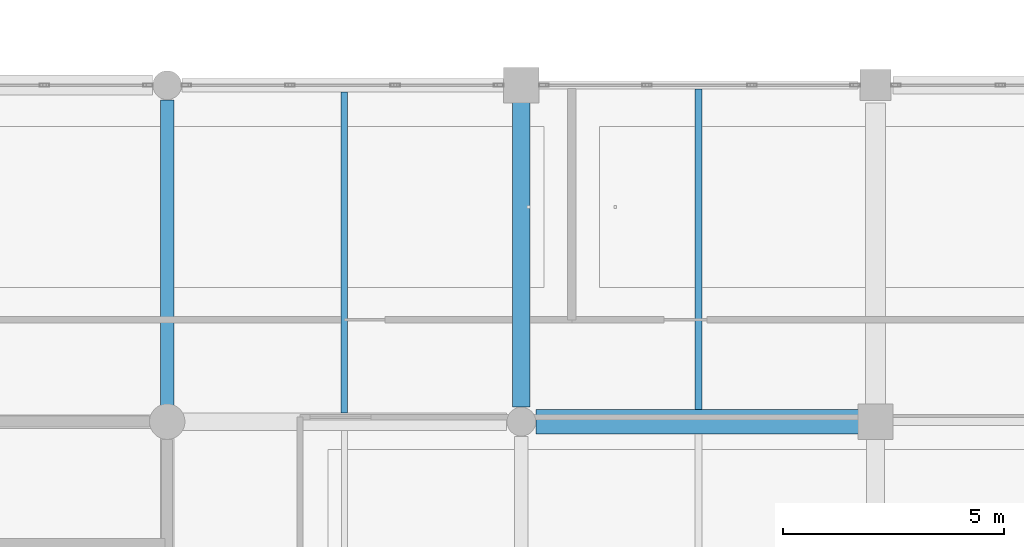
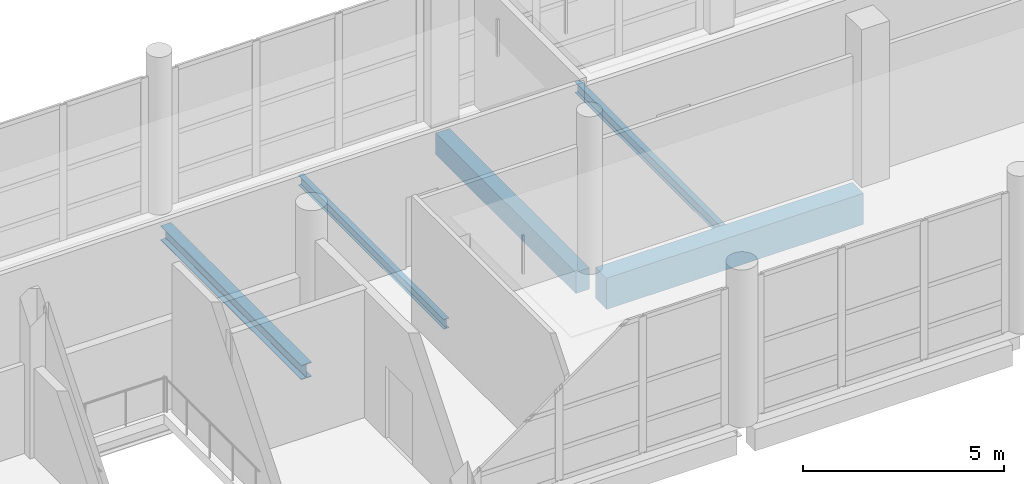
# One storey, part 28 of 141: 5 beams.
"""IFC4 building model written with IfcOpenShell, lengths in metres."""

from ifc_helpers import new_model, si_unit, direction, frame, origin, origin_2d, place, context, subcontext, project, spatial, rectangle, i_section, extrude, material, material_profile, profile_set, type_object, element, save


model = new_model("IFC4")

# Units and contexts
model_context = context("Model", 3, precision=1e-05, world=origin(), true_north=direction((0.0, 1.0)))
body_context = subcontext(model_context, "Body", "Model", "MODEL_VIEW")
ifc_project = project(units=[si_unit("LENGTHUNIT", "METRE"), si_unit("AREAUNIT", "SQUARE_METRE"), si_unit("VOLUMEUNIT", "CUBIC_METRE"), si_unit("PLANEANGLEUNIT", "RADIAN"), si_unit("MASSUNIT", "GRAM", prefix="KILO")], contexts=[model_context])

# Site, building, storey
site_placement = place(None, origin())
site = spatial("IfcSite", under=ifc_project, at=site_placement, CompositionType="ELEMENT")
building_placement = place(site_placement, origin())
building = spatial("IfcBuilding", under=site, at=building_placement, Name="Khelvaren Railside Concert Hall", CompositionType="ELEMENT")
storey_placement = place(building_placement, frame((0.0, 0.0, 10.199951171875)))
storey = spatial("IfcBuildingStorey", under=building, at=storey_placement, Name="L02", CompositionType="ELEMENT", Elevation=10.199951171875)

# Beams
ifc_material_1 = material(Name="Concrete C40/50", Category="concrete")
ifc_material_profile_1 = material_profile(ifc_material_1, rectangle(XDim=0.39990234375, YDim=0.64990234375, at=origin_2d()), Name="RCB 400x650")
ifc_profile_set_1 = profile_set([ifc_material_profile_1], Name="Concrete C40/50")
beam_type_1 = type_object("IfcBeamType", Name="BM33", PredefinedType="BEAM", material=ifc_profile_set_1)
beam_1_placement = place(storey_placement, frame((88.0, 7.93603515625, -0.614990234375), z_axis=(0.0, 1.0, 0.0), x_axis=(-1.0, 0.0, 0.0)))
element("IfcBeam", 1, at=beam_1_placement, inside=storey, type_object=beam_type_1, Name="V3 L02 Beam Y4.2", PredefinedType="BEAM", context=body_context, shape_type="SweptSolid", body=[
    extrude(rectangle(XDim=0.39990234375, YDim=0.64990234375, at=origin_2d()), origin(), (0.0, 0.0, 1.0), 6.990966796875),
])
ifc_material_2 = material(Name="Steel S355", Category="steel")
ifc_material_profile_2 = material_profile(ifc_material_2, i_section(OverallWidth=0.300048828125, OverallDepth=0.43994140625, WebThickness=0.011474609375, FlangeThickness=0.02099609375, FilletRadius=0.027099609375, at=origin_2d()), Name="HEA 450")
ifc_profile_set_2 = profile_set([ifc_material_profile_2], Name="Steel S355")
beam_type_2 = type_object("IfcBeamType", Name="BM89", PredefinedType="BEAM", material=ifc_profile_set_2)
beam_2_placement = place(storey_placement, frame((80.0, 7.85009765625, -0.510009765625), z_axis=(0.0, 1.0, 0.0), x_axis=(-1.0, 0.0, 0.0)))
element("IfcBeam", 2, at=beam_2_placement, inside=storey, type_object=beam_type_2, Name="V3 L02 Beam Y3.2", PredefinedType="BEAM", context=body_context, shape_type="SweptSolid", body=[
    extrude(i_section(OverallWidth=0.300048828125, OverallDepth=0.43994140625, WebThickness=0.011474609375, FlangeThickness=0.02099609375, FilletRadius=0.027099609375, at=origin_2d()), origin(), (0.0, 0.0, 1.0), 7.013916015625),
])
ifc_material_profile_3 = material_profile(ifc_material_1, rectangle(XDim=0.550048828125, YDim=0.949951171875, at=origin_2d()), Name="RCB 550x950")
ifc_profile_set_3 = profile_set([ifc_material_profile_3], Name="Concrete C40/50")
beam_type_3 = type_object("IfcBeamType", Name="GR57", PredefinedType="T_BEAM", material=ifc_profile_set_3)
beam_3_placement = place(storey_placement, frame((88.3359375, 7.60009765625, -0.764892578125), z_axis=(1.0, 0.0, 0.0), x_axis=(0.0, 1.0, 0.0)))
element("IfcBeam", 3, at=beam_3_placement, inside=storey, type_object=beam_type_3, Name="V3 L02 T_Beam X2.4", PredefinedType="T_BEAM", context=body_context, shape_type="SweptSolid", body=[
    extrude(rectangle(XDim=0.550048828125, YDim=0.949951171875, at=origin_2d()), origin(), (0.0, 0.0, 1.0), 7.39111328125),
])
ifc_material_profile_4 = material_profile(ifc_material_2, i_section(OverallWidth=0.14990234375, OverallDepth=0.300048828125, WebThickness=0.007080078125, FlangeThickness=0.0107421875, FilletRadius=0.014892578125, at=origin_2d()), Name="IPE 300")
ifc_profile_set_4 = profile_set([ifc_material_profile_4], Name="Steel S355")
beam_type_4 = type_object("IfcBeamType", Name="JS26", PredefinedType="JOIST", material=ifc_profile_set_4)
beam_4_placement = place(storey_placement, frame((84.0, 7.800048828125, -0.43994140625), z_axis=(0.0, 1.0, 0.0), x_axis=(-1.0, 0.0, 0.0)))
element("IfcBeam", 4, at=beam_4_placement, inside=storey, type_object=beam_type_4, Name="V3 L02 Secondary Joist 3.2", PredefinedType="JOIST", context=body_context, shape_type="SweptSolid", body=[
    extrude(i_section(OverallWidth=0.14990234375, OverallDepth=0.300048828125, WebThickness=0.007080078125, FlangeThickness=0.0107421875, FilletRadius=0.014892578125, at=origin_2d()), origin(), (0.0, 0.0, 1.0), 7.25),
])
ifc_material_profile_5 = material_profile(ifc_material_2, i_section(OverallWidth=0.159912109375, OverallDepth=0.330078125, WebThickness=0.007568359375, FlangeThickness=0.011474609375, FilletRadius=0.01806640625, at=origin_2d()), Name="IPE 330")
ifc_profile_set_5 = profile_set([ifc_material_profile_5], Name="Steel S355")
beam_type_5 = type_object("IfcBeamType", Name="JS65", PredefinedType="JOIST", material=ifc_profile_set_5)
beam_5_placement = place(storey_placement, frame((92.0, 7.875, -0.454833984375), z_axis=(0.0, 1.0, 0.0), x_axis=(-1.0, 0.0, 0.0)))
element("IfcBeam", 5, at=beam_5_placement, inside=storey, type_object=beam_type_5, Name="V3 L02 Secondary Joist 4.2", PredefinedType="JOIST", context=body_context, shape_type="SweptSolid", body=[
    extrude(i_section(OverallWidth=0.159912109375, OverallDepth=0.330078125, WebThickness=0.007568359375, FlangeThickness=0.011474609375, FilletRadius=0.01806640625, at=origin_2d()), origin(), (0.0, 0.0, 1.0), 7.239990234375),
])

save(model, "model.ifc")
